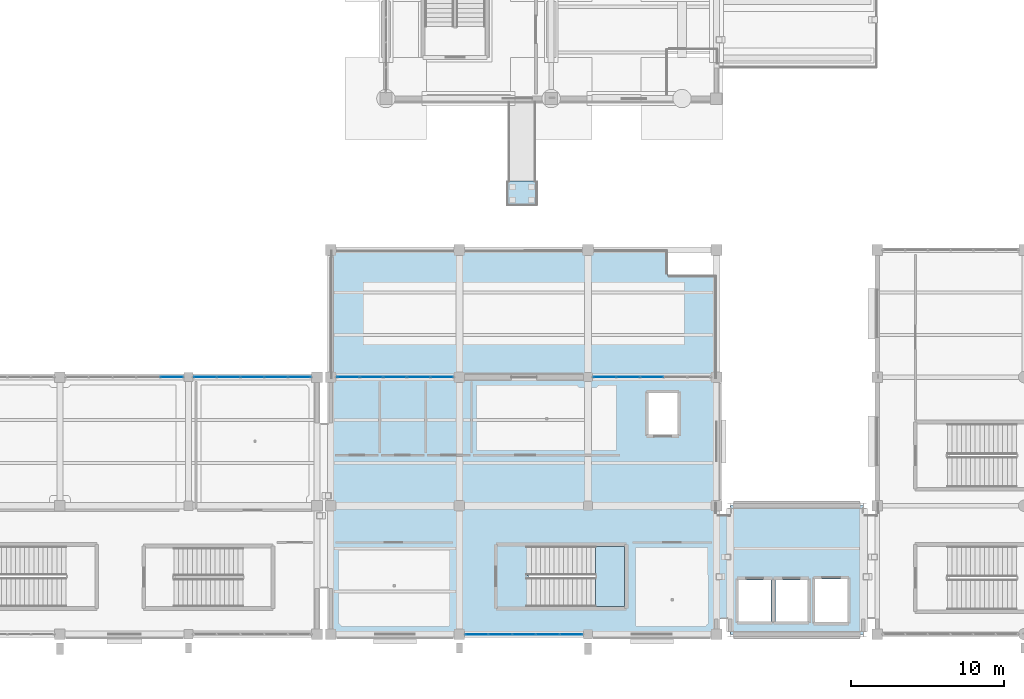
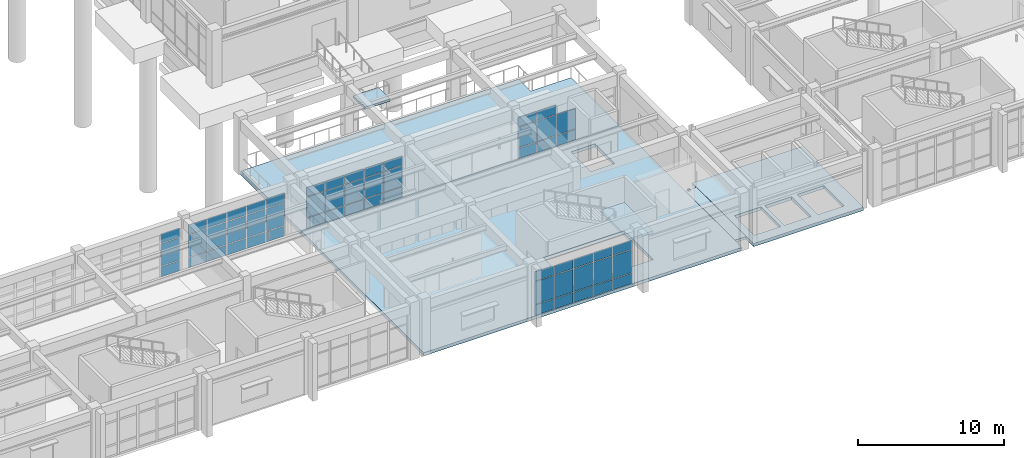
# One storey, part 70 of 98: 56 plates, 6 slabs, 6 elements without a shape of their own.
"""IFC4 building model written with IfcOpenShell, lengths in metres."""

import ifcopenshell
import ifcopenshell.guid

model = None  # the IFC model being written
_history = None  # IfcOwnerHistory: only IFC2X3 demands one
_inside = {}  # id of a spatial element -> (the spatial element, [elements in it])
_under = {}  # id of a project, library or spatial element -> (it, [spatial elements below it])
_declared = {}  # id of a project -> (the project, [libraries it declares])
_typed = {}  # id of a type object -> (the type object, [elements of that type])
_made_of = {}  # id of a material, layer set ... -> (it, [elements and type objects made of it])


def new_model(schema):
    """Start an empty IFC model of exactly this schema.

    Asked for "IFC4X3", IfcOpenShell would pick the latest addendum, in which some entities
    have other attributes; the version numbers below select the first issue.
    IFC2X3 requires an IfcOwnerHistory on every rooted entity: one is made here for all.
    """
    global model, _history
    if schema == "IFC4X3":
        model = ifcopenshell.file(schema_version=(4, 3, 0, 0))
    else:
        model = ifcopenshell.file(schema=schema)
    _inside.clear()
    _under.clear()
    _declared.clear()
    _typed.clear()
    _made_of.clear()
    _history = None
    if model.schema == "IFC2X3":
        org = make("IfcOrganization", Name="unknown")
        user = make(
            "IfcPersonAndOrganization",
            ThePerson=make("IfcPerson", FamilyName="unknown"),
            TheOrganization=org,
        )
        app = make(
            "IfcApplication",
            ApplicationDeveloper=org,
            Version="unknown",
            ApplicationFullName="unknown",
            ApplicationIdentifier="unknown",
        )
        _history = make(
            "IfcOwnerHistory",
            OwningUser=user,
            OwningApplication=app,
            ChangeAction="ADDED",
            CreationDate=0,
        )
    return model


def make(cls, **values):
    """One entity of the class cls with the attributes given. An attribute that is None is left unset."""
    return model.create_entity(
        cls, **{name: value for name, value in values.items() if value is not None}
    )


def rooted(cls, **values):
    """An entity with a GlobalId (a new one), such as an element, a storey or a relation."""
    return make(cls, GlobalId=ifcopenshell.guid.new(), OwnerHistory=_history, **values)


def si_unit(unit_type, name, prefix=None):
    """IfcSIUnit, for example si_unit("LENGTHUNIT", "METRE", prefix="MILLI")."""
    return make("IfcSIUnit", UnitType=unit_type, Prefix=prefix, Name=name)


def assignment(units):
    """IfcUnitAssignment: the units of a project."""
    return None if units is None else make("IfcUnitAssignment", Units=units)


def point(xyz):
    """IfcCartesianPoint."""
    return None if xyz is None else make("IfcCartesianPoint", Coordinates=xyz)


def direction(xyz):
    """IfcDirection."""
    return None if xyz is None else make("IfcDirection", DirectionRatios=xyz)


def frame(location, z_axis=None, x_axis=None):
    """IfcAxis2Placement3D, a coordinate frame: its origin and axes. An axis left out is left unset."""
    return make(
        "IfcAxis2Placement3D",
        Location=point(location),
        Axis=direction(z_axis),
        RefDirection=direction(x_axis),
    )


def frame_2d(location, x_axis=None):
    """IfcAxis2Placement2D, a coordinate frame in the plane: its origin and x axis."""
    return make(
        "IfcAxis2Placement2D", Location=point(location), RefDirection=direction(x_axis)
    )


def origin():
    """The frame at (0, 0, 0) with its axes left unset."""
    return frame((0.0, 0.0, 0.0))


def origin_2d():
    """The frame at (0, 0) in the plane with its x axis left unset."""
    return frame_2d((0.0, 0.0))


def place(relative_to, where):
    """IfcLocalPlacement: puts the frame where relative to a parent placement (None: the world)."""
    return make(
        "IfcLocalPlacement", PlacementRelTo=relative_to, RelativePlacement=where
    )


def context(
    kind, dimensions, precision=None, world=None, true_north=None, identifier=None
):
    """IfcGeometricRepresentationContext, for example the 3D "Model" context."""
    return make(
        "IfcGeometricRepresentationContext",
        ContextIdentifier=identifier,
        ContextType=kind,
        CoordinateSpaceDimension=dimensions,
        Precision=precision,
        WorldCoordinateSystem=world,
        TrueNorth=true_north,
    )


def subcontext(parent, identifier, kind, view, scale=None):
    """IfcGeometricRepresentationSubContext, for example "Body" below "Model"."""
    return make(
        "IfcGeometricRepresentationSubContext",
        ContextIdentifier=identifier,
        ContextType=kind,
        ParentContext=parent,
        TargetScale=scale,
        TargetView=view,
    )


def project(units=None, contexts=None):
    """IfcProject with its units and contexts."""
    return rooted(
        "IfcProject",
        Name="project",
        RepresentationContexts=contexts,
        UnitsInContext=assignment(units),
    )


def spatial(cls, under=None, at=None, **own):
    """A site, building, storey or space (cls), placed at a placement, below another one or the project."""
    s = rooted(cls, ObjectPlacement=at, **own)
    if under is not None:
        _under.setdefault(under.id(), (under, []))[1].append(s)
    return s


def polyline(points):
    """IfcPolyline through the points."""
    return make("IfcPolyline", Points=[point(p) for p in points])


def profile(cls, at=None, kind="AREA", **sizes):
    """A parametric profile (cls). Its sizes go by their IFC names, for example OverallWidth=200.0."""
    return make(cls, ProfileType=kind, Position=at, **sizes)


def rectangle(**sizes):
    """IfcRectangleProfileDef."""
    return profile("IfcRectangleProfileDef", **sizes)


def outline(outer, holes=None, kind="AREA"):
    """IfcArbitraryClosedProfileDef: a profile drawn as a closed curve; with holes, ...WithVoids."""
    if holes is None:
        return make("IfcArbitraryClosedProfileDef", ProfileType=kind, OuterCurve=outer)
    return make(
        "IfcArbitraryProfileDefWithVoids",
        ProfileType=kind,
        OuterCurve=outer,
        InnerCurves=holes,
    )


def extrude(swept, where, along, depth):
    """IfcExtrudedAreaSolid: the profile swept, set in the frame where, extruded along a direction by depth."""
    return make(
        "IfcExtrudedAreaSolid",
        SweptArea=swept,
        Position=where,
        ExtrudedDirection=direction(along),
        Depth=depth,
    )


def shape(context_of_items, identifier, shape_type, items):
    """IfcShapeRepresentation: the items that make up one representation, for example the "Body"."""
    return make(
        "IfcShapeRepresentation",
        ContextOfItems=context_of_items,
        RepresentationIdentifier=identifier,
        RepresentationType=shape_type,
        Items=items,
    )


def material(Name=None, Category=None):
    """IfcMaterial."""
    return make("IfcMaterial", Name=Name, Category=Category)


def layer(
    of_material, thickness, ventilated=None, Name=None, Category=None, Priority=None
):
    """IfcMaterialLayer: one layer of a wall or slab, of a material (None: an air gap)."""
    return make(
        "IfcMaterialLayer",
        Material=of_material,
        LayerThickness=thickness,
        IsVentilated=ventilated,
        Name=Name,
        Category=Category,
        Priority=Priority,
    )


def layer_set(layers, Name=None):
    """IfcMaterialLayerSet."""
    return make("IfcMaterialLayerSet", MaterialLayers=layers, LayerSetName=Name)


def made_of(thing, what):
    """Note that an element or type object is made of a material, layer set ...; save() writes the relation."""
    if what is not None:
        _made_of.setdefault(what.id(), (what, []))[1].append(thing)
    return thing


def type_object(cls, material=None, **own):
    """A type object (cls), such as IfcWallType, which elements share."""
    return made_of(rooted(cls, **own), material)


def element(
    cls,
    number,
    at=None,
    inside=None,
    cuts=None,
    type_object=None,
    material=None,
    context=None,
    identifier="Body",
    shape_type=None,
    held_by="IfcProductDefinitionShape",
    body=None,
    shapes=None,
    **own,
):
    """One element of the class cls, such as IfcWall. Its Tag is "e" and its number.

    at: its placement. inside: the storey or other place that contains it. cuts: it is an
    opening in that element (IfcRelVoidsElement). A single representation is given by context,
    identifier, shape_type and body (its items); several are given by shapes. held_by: the class
    of the entity that holds the representations. save() writes the other relations.
    """
    e = rooted(cls, Tag="e%d" % number, ObjectPlacement=at, **own)
    if body is not None:
        shapes = [shape(context, identifier, shape_type, body)]
    if shapes is not None:
        e.Representation = make(held_by, Representations=shapes)
    if inside is not None:
        _inside.setdefault(inside.id(), (inside, []))[1].append(e)
    if cuts is not None:
        rooted(
            "IfcRelVoidsElement", RelatingBuildingElement=cuts, RelatedOpeningElement=e
        )
    if type_object is not None:
        _typed.setdefault(type_object.id(), (type_object, []))[1].append(e)
    return made_of(e, material)


def aggregate(whole, parts):
    """IfcRelAggregates: a whole, such as a stair, and the parts it consists of."""
    return rooted("IfcRelAggregates", RelatingObject=whole, RelatedObjects=parts)


def save(model, path):
    """Write the relations noted so far, then the file.

    IfcRelAggregates (storeys below a building ...), IfcRelContainedInSpatialStructure (elements
    in a storey), IfcRelDefinesByType, IfcRelAssociatesMaterial and IfcRelDeclares: one each for
    every whole, place, type object, material and project.
    """
    for whole, parts in _under.values():
        aggregate(whole, parts)
    for where, things in _inside.values():
        rooted(
            "IfcRelContainedInSpatialStructure",
            RelatedElements=things,
            RelatingStructure=where,
        )
    for kind, things in _typed.values():
        rooted("IfcRelDefinesByType", RelatedObjects=things, RelatingType=kind)
    for what, things in _made_of.values():
        rooted("IfcRelAssociatesMaterial", RelatedObjects=things, RelatingMaterial=what)
    for by, libraries in _declared.values():
        rooted("IfcRelDeclares", RelatingContext=by, RelatedDefinitions=libraries)
    model.write(path)


model = new_model("IFC4")

# Units and contexts
model_context = context("Model", 3, precision=1e-05, world=origin(), true_north=direction((0.0, 1.0)))
body_context = subcontext(model_context, "Body", "Model", "MODEL_VIEW")
ifc_project = project(units=[si_unit("LENGTHUNIT", "METRE"), si_unit("AREAUNIT", "SQUARE_METRE"), si_unit("VOLUMEUNIT", "CUBIC_METRE"), si_unit("PLANEANGLEUNIT", "RADIAN"), si_unit("MASSUNIT", "GRAM", prefix="KILO")], contexts=[model_context])

# Site, building, storey
site_placement = place(None, origin())
site = spatial("IfcSite", under=ifc_project, at=site_placement, CompositionType="ELEMENT")
building_placement = place(site_placement, origin())
building = spatial("IfcBuilding", under=site, at=building_placement, Name="Canglan Escarpment Cableway Terminal", CompositionType="ELEMENT")
storey_placement = place(building_placement, frame((0.0, 0.0, 9.60009765625)))
storey = spatial("IfcBuildingStorey", under=building, at=storey_placement, Name="L02", CompositionType="ELEMENT", Elevation=9.60009765625)

# Curtain wall, plates
ifc_material_1 = material(Name="Anodized bronze aluminium and Low-E double glazing", Category="aluminium")
curtain_wall_type_1 = type_object("IfcCurtainWallType", Name="CW-BAY-7700x3550", PredefinedType="NOTDEFINED", material=ifc_material_1)
curtain_wall_1_placement = place(storey_placement, origin())
curtain_wall_1 = element("IfcCurtainWall", 1, at=curtain_wall_1_placement, inside=storey, type_object=curtain_wall_type_1, Name="Classical bay-between-piers glazed curtain wall CW-15", PredefinedType="NOTDEFINED")
ifc_material_2 = material(Name="Double-silver Low-E laminated insulating glass", Category="glass")
ifc_layer_1 = layer(ifc_material_2, 0.028076171875, Name="Double-silver Low-E laminated insulating glass")
ifc_layer_set_1 = layer_set([ifc_layer_1], Name="Double-silver Low-E laminated insulating glass")
plate_type_1 = type_object("IfcPlateType", Name="CWP-02", PredefinedType="CURTAIN_PANEL", material=ifc_layer_set_1)
plate_1_placement = place(storey_placement, frame((118.763671875, 24.800048828125, 0.06494140625), z_axis=(0.0, 0.0, 1.0), x_axis=(-1.0, 0.0, 0.0)))
plate_1 = element("IfcPlate", 2, at=plate_1_placement, type_object=plate_type_1, Name="CW-15 panel 1.1", PredefinedType="CURTAIN_PANEL", context=body_context, shape_type="SweptSolid", body=[
    extrude(rectangle(XDim=1.4423828125, YDim=0.028076171875, at=origin_2d()), origin(), (0.0, 0.0, 1.0), 0.8525390625),
])
plate_2_placement = place(storey_placement, frame((118.763671875, 24.800048828125, 0.982421875), z_axis=(0.0, 0.0, 1.0), x_axis=(-1.0, 0.0, 0.0)))
plate_2 = element("IfcPlate", 3, at=plate_2_placement, type_object=plate_type_1, Name="CW-15 panel 1.2", PredefinedType="CURTAIN_PANEL", context=body_context, shape_type="SweptSolid", body=[
    extrude(rectangle(XDim=1.4423828125, YDim=0.028076171875, at=origin_2d()), origin(), (0.0, 0.0, 1.0), 1.68994140625),
])
plate_3_placement = place(storey_placement, frame((118.763671875, 24.800048828125, 2.737548828125), z_axis=(0.0, 0.0, 1.0), x_axis=(-1.0, 0.0, 0.0)))
plate_3 = element("IfcPlate", 4, at=plate_3_placement, type_object=plate_type_1, Name="CW-15 panel 1.3", PredefinedType="CURTAIN_PANEL", context=body_context, shape_type="SweptSolid", body=[
    extrude(rectangle(XDim=1.4423828125, YDim=0.028076171875, at=origin_2d()), origin(), (0.0, 0.0, 1.0), 0.75244140625),
])
plate_4_placement = place(storey_placement, frame((117.239990234375, 24.800048828125, 0.06494140625), z_axis=(0.0, 0.0, 1.0), x_axis=(-1.0, 0.0, 0.0)))
plate_4 = element("IfcPlate", 5, at=plate_4_placement, type_object=plate_type_1, Name="CW-15 panel 2.1", PredefinedType="CURTAIN_PANEL", context=body_context, shape_type="SweptSolid", body=[
    extrude(rectangle(XDim=1.47509765625, YDim=0.028076171875, at=origin_2d()), origin(), (0.0, 0.0, 1.0), 0.8525390625),
])
plate_5_placement = place(storey_placement, frame((117.239990234375, 24.800048828125, 0.982421875), z_axis=(0.0, 0.0, 1.0), x_axis=(-1.0, 0.0, 0.0)))
plate_5 = element("IfcPlate", 6, at=plate_5_placement, type_object=plate_type_1, Name="CW-15 panel 2.2", PredefinedType="CURTAIN_PANEL", context=body_context, shape_type="SweptSolid", body=[
    extrude(rectangle(XDim=1.47509765625, YDim=0.028076171875, at=origin_2d()), origin(), (0.0, 0.0, 1.0), 1.68994140625),
])
plate_6_placement = place(storey_placement, frame((117.239990234375, 24.800048828125, 2.737548828125), z_axis=(0.0, 0.0, 1.0), x_axis=(-1.0, 0.0, 0.0)))
plate_6 = element("IfcPlate", 7, at=plate_6_placement, type_object=plate_type_1, Name="CW-15 panel 2.3", PredefinedType="CURTAIN_PANEL", context=body_context, shape_type="SweptSolid", body=[
    extrude(rectangle(XDim=1.47509765625, YDim=0.028076171875, at=origin_2d()), origin(), (0.0, 0.0, 1.0), 0.75244140625),
])
plate_7_placement = place(storey_placement, frame((115.699951171875, 24.800048828125, 0.06494140625), z_axis=(0.0, 0.0, 1.0), x_axis=(-1.0, 0.0, 0.0)))
plate_7 = element("IfcPlate", 8, at=plate_7_placement, type_object=plate_type_1, Name="CW-15 panel 3.1", PredefinedType="CURTAIN_PANEL", context=body_context, shape_type="SweptSolid", body=[
    extrude(rectangle(XDim=1.47509765625, YDim=0.028076171875, at=origin_2d()), origin(), (0.0, 0.0, 1.0), 0.8525390625),
])
plate_8_placement = place(storey_placement, frame((115.699951171875, 24.800048828125, 0.982421875), z_axis=(0.0, 0.0, 1.0), x_axis=(-1.0, 0.0, 0.0)))
plate_8 = element("IfcPlate", 9, at=plate_8_placement, type_object=plate_type_1, Name="CW-15 panel 3.2", PredefinedType="CURTAIN_PANEL", context=body_context, shape_type="SweptSolid", body=[
    extrude(rectangle(XDim=1.47509765625, YDim=0.028076171875, at=origin_2d()), origin(), (0.0, 0.0, 1.0), 1.68994140625),
])
plate_9_placement = place(storey_placement, frame((115.699951171875, 24.800048828125, 2.737548828125), z_axis=(0.0, 0.0, 1.0), x_axis=(-1.0, 0.0, 0.0)))
plate_9 = element("IfcPlate", 10, at=plate_9_placement, type_object=plate_type_1, Name="CW-15 panel 3.3", PredefinedType="CURTAIN_PANEL", context=body_context, shape_type="SweptSolid", body=[
    extrude(rectangle(XDim=1.47509765625, YDim=0.028076171875, at=origin_2d()), origin(), (0.0, 0.0, 1.0), 0.75244140625),
])
plate_10_placement = place(storey_placement, frame((114.159912109375, 24.800048828125, 0.06494140625), z_axis=(0.0, 0.0, 1.0), x_axis=(-1.0, 0.0, 0.0)))
plate_10 = element("IfcPlate", 11, at=plate_10_placement, type_object=plate_type_1, Name="CW-15 panel 4.1", PredefinedType="CURTAIN_PANEL", context=body_context, shape_type="SweptSolid", body=[
    extrude(rectangle(XDim=1.47509765625, YDim=0.028076171875, at=origin_2d()), origin(), (0.0, 0.0, 1.0), 0.8525390625),
])
plate_11_placement = place(storey_placement, frame((114.159912109375, 24.800048828125, 0.982421875), z_axis=(0.0, 0.0, 1.0), x_axis=(-1.0, 0.0, 0.0)))
plate_11 = element("IfcPlate", 12, at=plate_11_placement, type_object=plate_type_1, Name="CW-15 panel 4.2", PredefinedType="CURTAIN_PANEL", context=body_context, shape_type="SweptSolid", body=[
    extrude(rectangle(XDim=1.47509765625, YDim=0.028076171875, at=origin_2d()), origin(), (0.0, 0.0, 1.0), 1.68994140625),
])
plate_12_placement = place(storey_placement, frame((114.159912109375, 24.800048828125, 2.737548828125), z_axis=(0.0, 0.0, 1.0), x_axis=(-1.0, 0.0, 0.0)))
plate_12 = element("IfcPlate", 13, at=plate_12_placement, type_object=plate_type_1, Name="CW-15 panel 4.3", PredefinedType="CURTAIN_PANEL", context=body_context, shape_type="SweptSolid", body=[
    extrude(rectangle(XDim=1.47509765625, YDim=0.028076171875, at=origin_2d()), origin(), (0.0, 0.0, 1.0), 0.75244140625),
])
plate_13_placement = place(storey_placement, frame((112.63623046875, 24.800048828125, 0.06494140625), z_axis=(0.0, 0.0, 1.0), x_axis=(-1.0, 0.0, 0.0)))
plate_13 = element("IfcPlate", 14, at=plate_13_placement, type_object=plate_type_1, Name="CW-15 panel 5.1", PredefinedType="CURTAIN_PANEL", context=body_context, shape_type="SweptSolid", body=[
    extrude(rectangle(XDim=1.4423828125, YDim=0.028076171875, at=origin_2d()), origin(), (0.0, 0.0, 1.0), 0.8525390625),
])
plate_14_placement = place(storey_placement, frame((112.63623046875, 24.800048828125, 0.982421875), z_axis=(0.0, 0.0, 1.0), x_axis=(-1.0, 0.0, 0.0)))
plate_14 = element("IfcPlate", 15, at=plate_14_placement, type_object=plate_type_1, Name="CW-15 panel 5.2", PredefinedType="CURTAIN_PANEL", context=body_context, shape_type="SweptSolid", body=[
    extrude(rectangle(XDim=1.4423828125, YDim=0.028076171875, at=origin_2d()), origin(), (0.0, 0.0, 1.0), 1.68994140625),
])
plate_15_placement = place(storey_placement, frame((112.63623046875, 24.800048828125, 2.737548828125), z_axis=(0.0, 0.0, 1.0), x_axis=(-1.0, 0.0, 0.0)))
plate_15 = element("IfcPlate", 16, at=plate_15_placement, type_object=plate_type_1, Name="CW-15 panel 5.3", PredefinedType="CURTAIN_PANEL", context=body_context, shape_type="SweptSolid", body=[
    extrude(rectangle(XDim=1.4423828125, YDim=0.028076171875, at=origin_2d()), origin(), (0.0, 0.0, 1.0), 0.75244140625),
])
aggregate(curtain_wall_1, [plate_1, plate_2, plate_3, plate_4, plate_5, plate_6, plate_7, plate_8, plate_9, plate_10, plate_11, plate_12, plate_13, plate_14, plate_15])

curtain_wall_type_2 = type_object("IfcCurtainWallType", Name="CW-BAY-7750x3725", PredefinedType="NOTDEFINED", material=ifc_material_1)
curtain_wall_2_placement = place(storey_placement, origin())
curtain_wall_2 = element("IfcCurtainWall", 17, at=curtain_wall_2_placement, inside=storey, type_object=curtain_wall_type_2, Name="Classical bay-between-piers glazed curtain wall CW-12", PredefinedType="NOTDEFINED")
ifc_layer_2 = layer(ifc_material_2, 0.031982421875, Name="Double-silver Low-E laminated insulating glass")
ifc_layer_set_2 = layer_set([ifc_layer_2], Name="Double-silver Low-E laminated insulating glass")
plate_type_2 = type_object("IfcPlateType", Name="CWP-03", PredefinedType="CURTAIN_PANEL", material=ifc_layer_set_2)
plate_16_placement = place(storey_placement, frame((101.110107421875, 24.800048828125, 0.05517578125), z_axis=(0.0, 0.0, 1.0), x_axis=(-1.0, 0.0, 0.0)))
plate_16 = element("IfcPlate", 18, at=plate_16_placement, type_object=plate_type_2, Name="CW-12 panel 1.1", PredefinedType="CURTAIN_PANEL", context=body_context, shape_type="SweptSolid", body=[
    extrude(rectangle(XDim=1.4599609375, YDim=0.031982421875, at=origin_2d()), origin(), (0.0, 0.0, 1.0), 0.867431640625),
])
plate_17_placement = place(storey_placement, frame((101.110107421875, 24.800048828125, 0.9775390625), z_axis=(0.0, 0.0, 1.0), x_axis=(-1.0, 0.0, 0.0)))
plate_17 = element("IfcPlate", 19, at=plate_17_placement, type_object=plate_type_2, Name="CW-12 panel 1.2", PredefinedType="CURTAIN_PANEL", context=body_context, shape_type="SweptSolid", body=[
    extrude(rectangle(XDim=1.4599609375, YDim=0.031982421875, at=origin_2d()), origin(), (0.0, 0.0, 1.0), 1.860107421875),
])
plate_18_placement = place(storey_placement, frame((101.110107421875, 24.800048828125, 2.892333984375), z_axis=(0.0, 0.0, 1.0), x_axis=(-1.0, 0.0, 0.0)))
plate_18 = element("IfcPlate", 20, at=plate_18_placement, type_object=plate_type_2, Name="CW-12 panel 1.3", PredefinedType="CURTAIN_PANEL", context=body_context, shape_type="SweptSolid", body=[
    extrude(rectangle(XDim=1.4599609375, YDim=0.031982421875, at=origin_2d()), origin(), (0.0, 0.0, 1.0), 0.767578125),
])
aggregate(curtain_wall_2, [plate_16, plate_17, plate_18])

curtain_wall_type_3 = type_object("IfcCurtainWallType", Name="CW-BAY-7750x3750", PredefinedType="NOTDEFINED", material=ifc_material_1)
curtain_wall_3_placement = place(storey_placement, origin())
curtain_wall_3 = element("IfcCurtainWall", 21, at=curtain_wall_3_placement, inside=storey, type_object=curtain_wall_type_3, Name="Classical bay-between-piers glazed curtain wall CW-07", PredefinedType="NOTDEFINED")
plate_19_placement = place(storey_placement, frame((121.0400390625, 8.0, 0.05517578125), z_axis=(0.0, 0.0, 1.0), x_axis=(1.0, 0.0, 0.0)))
plate_19 = element("IfcPlate", 22, at=plate_19_placement, type_object=plate_type_2, Name="CW-07 panel 1.1", PredefinedType="CURTAIN_PANEL", context=body_context, shape_type="SweptSolid", body=[
    extrude(rectangle(XDim=1.4599609375, YDim=0.031982421875, at=origin_2d()), origin(), (0.0, 0.0, 1.0), 0.867431640625),
])
plate_20_placement = place(storey_placement, frame((121.0400390625, 8.0, 0.9775390625), z_axis=(0.0, 0.0, 1.0), x_axis=(1.0, 0.0, 0.0)))
plate_20 = element("IfcPlate", 23, at=plate_20_placement, type_object=plate_type_2, Name="CW-07 panel 1.2", PredefinedType="CURTAIN_PANEL", context=body_context, shape_type="SweptSolid", body=[
    extrude(rectangle(XDim=1.4599609375, YDim=0.031982421875, at=origin_2d()), origin(), (0.0, 0.0, 1.0), 1.89990234375),
])
plate_21_placement = place(storey_placement, frame((121.0400390625, 8.0, 2.932373046875), z_axis=(0.0, 0.0, 1.0), x_axis=(1.0, 0.0, 0.0)))
plate_21 = element("IfcPlate", 24, at=plate_21_placement, type_object=plate_type_2, Name="CW-07 panel 1.3", PredefinedType="CURTAIN_PANEL", context=body_context, shape_type="SweptSolid", body=[
    extrude(rectangle(XDim=1.4599609375, YDim=0.031982421875, at=origin_2d()), origin(), (0.0, 0.0, 1.0), 0.767578125),
])
plate_22_placement = place(storey_placement, frame((122.574951171875, 8.0, 0.05517578125), z_axis=(0.0, 0.0, 1.0), x_axis=(1.0, 0.0, 0.0)))
plate_22 = element("IfcPlate", 25, at=plate_22_placement, type_object=plate_type_2, Name="CW-07 panel 2.1", PredefinedType="CURTAIN_PANEL", context=body_context, shape_type="SweptSolid", body=[
    extrude(rectangle(XDim=1.489990234375, YDim=0.031982421875, at=origin_2d()), origin(), (0.0, 0.0, 1.0), 0.867431640625),
])
plate_23_placement = place(storey_placement, frame((122.574951171875, 8.0, 0.9775390625), z_axis=(0.0, 0.0, 1.0), x_axis=(1.0, 0.0, 0.0)))
plate_23 = element("IfcPlate", 26, at=plate_23_placement, type_object=plate_type_2, Name="CW-07 panel 2.2", PredefinedType="CURTAIN_PANEL", context=body_context, shape_type="SweptSolid", body=[
    extrude(rectangle(XDim=1.489990234375, YDim=0.031982421875, at=origin_2d()), origin(), (0.0, 0.0, 1.0), 1.89990234375),
])
plate_24_placement = place(storey_placement, frame((122.574951171875, 8.0, 2.932373046875), z_axis=(0.0, 0.0, 1.0), x_axis=(1.0, 0.0, 0.0)))
plate_24 = element("IfcPlate", 27, at=plate_24_placement, type_object=plate_type_2, Name="CW-07 panel 2.3", PredefinedType="CURTAIN_PANEL", context=body_context, shape_type="SweptSolid", body=[
    extrude(rectangle(XDim=1.489990234375, YDim=0.031982421875, at=origin_2d()), origin(), (0.0, 0.0, 1.0), 0.767578125),
])
plate_25_placement = place(storey_placement, frame((124.125, 8.0, 0.05517578125), z_axis=(0.0, 0.0, 1.0), x_axis=(1.0, 0.0, 0.0)))
plate_25 = element("IfcPlate", 28, at=plate_25_placement, type_object=plate_type_2, Name="CW-07 panel 3.1", PredefinedType="CURTAIN_PANEL", context=body_context, shape_type="SweptSolid", body=[
    extrude(rectangle(XDim=1.489990234375, YDim=0.031982421875, at=origin_2d()), origin(), (0.0, 0.0, 1.0), 0.867431640625),
])
plate_26_placement = place(storey_placement, frame((124.125, 8.0, 0.9775390625), z_axis=(0.0, 0.0, 1.0), x_axis=(1.0, 0.0, 0.0)))
plate_26 = element("IfcPlate", 29, at=plate_26_placement, type_object=plate_type_2, Name="CW-07 panel 3.2", PredefinedType="CURTAIN_PANEL", context=body_context, shape_type="SweptSolid", body=[
    extrude(rectangle(XDim=1.489990234375, YDim=0.031982421875, at=origin_2d()), origin(), (0.0, 0.0, 1.0), 1.89990234375),
])
plate_27_placement = place(storey_placement, frame((124.125, 8.0, 2.932373046875), z_axis=(0.0, 0.0, 1.0), x_axis=(1.0, 0.0, 0.0)))
plate_27 = element("IfcPlate", 30, at=plate_27_placement, type_object=plate_type_2, Name="CW-07 panel 3.3", PredefinedType="CURTAIN_PANEL", context=body_context, shape_type="SweptSolid", body=[
    extrude(rectangle(XDim=1.489990234375, YDim=0.031982421875, at=origin_2d()), origin(), (0.0, 0.0, 1.0), 0.767578125),
])
plate_28_placement = place(storey_placement, frame((125.675048828125, 8.0, 0.05517578125), z_axis=(0.0, 0.0, 1.0), x_axis=(1.0, 0.0, 0.0)))
plate_28 = element("IfcPlate", 31, at=plate_28_placement, type_object=plate_type_2, Name="CW-07 panel 4.1", PredefinedType="CURTAIN_PANEL", context=body_context, shape_type="SweptSolid", body=[
    extrude(rectangle(XDim=1.489990234375, YDim=0.031982421875, at=origin_2d()), origin(), (0.0, 0.0, 1.0), 0.867431640625),
])
plate_29_placement = place(storey_placement, frame((125.675048828125, 8.0, 0.9775390625), z_axis=(0.0, 0.0, 1.0), x_axis=(1.0, 0.0, 0.0)))
plate_29 = element("IfcPlate", 32, at=plate_29_placement, type_object=plate_type_2, Name="CW-07 panel 4.2", PredefinedType="CURTAIN_PANEL", context=body_context, shape_type="SweptSolid", body=[
    extrude(rectangle(XDim=1.489990234375, YDim=0.031982421875, at=origin_2d()), origin(), (0.0, 0.0, 1.0), 1.89990234375),
])
plate_30_placement = place(storey_placement, frame((125.675048828125, 8.0, 2.932373046875), z_axis=(0.0, 0.0, 1.0), x_axis=(1.0, 0.0, 0.0)))
plate_30 = element("IfcPlate", 33, at=plate_30_placement, type_object=plate_type_2, Name="CW-07 panel 4.3", PredefinedType="CURTAIN_PANEL", context=body_context, shape_type="SweptSolid", body=[
    extrude(rectangle(XDim=1.489990234375, YDim=0.031982421875, at=origin_2d()), origin(), (0.0, 0.0, 1.0), 0.767578125),
])
plate_31_placement = place(storey_placement, frame((127.2099609375, 8.0, 0.05517578125), z_axis=(0.0, 0.0, 1.0), x_axis=(1.0, 0.0, 0.0)))
plate_31 = element("IfcPlate", 34, at=plate_31_placement, type_object=plate_type_2, Name="CW-07 panel 5.1", PredefinedType="CURTAIN_PANEL", context=body_context, shape_type="SweptSolid", body=[
    extrude(rectangle(XDim=1.4599609375, YDim=0.031982421875, at=origin_2d()), origin(), (0.0, 0.0, 1.0), 0.867431640625),
])
plate_32_placement = place(storey_placement, frame((127.2099609375, 8.0, 0.9775390625), z_axis=(0.0, 0.0, 1.0), x_axis=(1.0, 0.0, 0.0)))
plate_32 = element("IfcPlate", 35, at=plate_32_placement, type_object=plate_type_2, Name="CW-07 panel 5.2", PredefinedType="CURTAIN_PANEL", context=body_context, shape_type="SweptSolid", body=[
    extrude(rectangle(XDim=1.4599609375, YDim=0.031982421875, at=origin_2d()), origin(), (0.0, 0.0, 1.0), 1.89990234375),
])
plate_33_placement = place(storey_placement, frame((127.2099609375, 8.0, 2.932373046875), z_axis=(0.0, 0.0, 1.0), x_axis=(1.0, 0.0, 0.0)))
plate_33 = element("IfcPlate", 36, at=plate_33_placement, type_object=plate_type_2, Name="CW-07 panel 5.3", PredefinedType="CURTAIN_PANEL", context=body_context, shape_type="SweptSolid", body=[
    extrude(rectangle(XDim=1.4599609375, YDim=0.031982421875, at=origin_2d()), origin(), (0.0, 0.0, 1.0), 0.767578125),
])
aggregate(curtain_wall_3, [plate_19, plate_20, plate_21, plate_22, plate_23, plate_24, plate_25, plate_26, plate_27, plate_28, plate_29, plate_30, plate_31, plate_32, plate_33])

curtain_wall_4_placement = place(storey_placement, origin())
curtain_wall_4 = element("IfcCurtainWall", 37, at=curtain_wall_4_placement, inside=storey, type_object=curtain_wall_type_2, Name="Classical bay-between-piers glazed curtain wall CW-12", PredefinedType="NOTDEFINED")
ifc_layer_3 = layer(ifc_material_2, 0.035888671875, Name="Double-silver Low-E laminated insulating glass")
ifc_layer_set_3 = layer_set([ifc_layer_3], Name="Double-silver Low-E laminated insulating glass")
plate_type_3 = type_object("IfcPlateType", Name="CWP-04", PredefinedType="CURTAIN_PANEL", material=ifc_layer_set_3)
plate_34_placement = place(storey_placement, frame((109.458740234375, 24.800048828125, 0.06005859375), z_axis=(0.0, 0.0, 1.0), x_axis=(-1.0, 0.0, 0.0)))
plate_34 = element("IfcPlate", 38, at=plate_34_placement, type_object=plate_type_3, Name="CW-12 panel 1.1", PredefinedType="CURTAIN_PANEL", context=body_context, shape_type="SweptSolid", body=[
    extrude(rectangle(XDim=1.452392578125, YDim=0.035888671875, at=origin_2d()), origin(), (0.0, 0.0, 1.0), 0.860107421875),
])
plate_35_placement = place(storey_placement, frame((109.458740234375, 24.800048828125, 0.97998046875), z_axis=(0.0, 0.0, 1.0), x_axis=(-1.0, 0.0, 0.0)))
plate_35 = element("IfcPlate", 39, at=plate_35_placement, type_object=plate_type_3, Name="CW-12 panel 1.2", PredefinedType="CURTAIN_PANEL", context=body_context, shape_type="SweptSolid", body=[
    extrude(rectangle(XDim=1.452392578125, YDim=0.035888671875, at=origin_2d()), origin(), (0.0, 0.0, 1.0), 1.85498046875),
])
plate_36_placement = place(storey_placement, frame((109.458740234375, 24.800048828125, 2.89501953125), z_axis=(0.0, 0.0, 1.0), x_axis=(-1.0, 0.0, 0.0)))
plate_36 = element("IfcPlate", 40, at=plate_36_placement, type_object=plate_type_3, Name="CW-12 panel 1.3", PredefinedType="CURTAIN_PANEL", context=body_context, shape_type="SweptSolid", body=[
    extrude(rectangle(XDim=1.452392578125, YDim=0.035888671875, at=origin_2d()), origin(), (0.0, 0.0, 1.0), 0.760009765625),
])
plate_37_placement = place(storey_placement, frame((107.925048828125, 24.800048828125, 0.06005859375), z_axis=(0.0, 0.0, 1.0), x_axis=(-1.0, 0.0, 0.0)))
plate_37 = element("IfcPlate", 41, at=plate_37_placement, type_object=plate_type_3, Name="CW-12 panel 2.1", PredefinedType="CURTAIN_PANEL", context=body_context, shape_type="SweptSolid", body=[
    extrude(rectangle(XDim=1.485107421875, YDim=0.035888671875, at=origin_2d()), origin(), (0.0, 0.0, 1.0), 0.860107421875),
])
plate_38_placement = place(storey_placement, frame((107.925048828125, 24.800048828125, 0.97998046875), z_axis=(0.0, 0.0, 1.0), x_axis=(-1.0, 0.0, 0.0)))
plate_38 = element("IfcPlate", 42, at=plate_38_placement, type_object=plate_type_3, Name="CW-12 panel 2.2", PredefinedType="CURTAIN_PANEL", context=body_context, shape_type="SweptSolid", body=[
    extrude(rectangle(XDim=1.485107421875, YDim=0.035888671875, at=origin_2d()), origin(), (0.0, 0.0, 1.0), 1.85498046875),
])
plate_39_placement = place(storey_placement, frame((107.925048828125, 24.800048828125, 2.89501953125), z_axis=(0.0, 0.0, 1.0), x_axis=(-1.0, 0.0, 0.0)))
plate_39 = element("IfcPlate", 43, at=plate_39_placement, type_object=plate_type_3, Name="CW-12 panel 2.3", PredefinedType="CURTAIN_PANEL", context=body_context, shape_type="SweptSolid", body=[
    extrude(rectangle(XDim=1.485107421875, YDim=0.035888671875, at=origin_2d()), origin(), (0.0, 0.0, 1.0), 0.760009765625),
])
plate_40_placement = place(storey_placement, frame((106.375, 24.800048828125, 0.06005859375), z_axis=(0.0, 0.0, 1.0), x_axis=(-1.0, 0.0, 0.0)))
plate_40 = element("IfcPlate", 44, at=plate_40_placement, type_object=plate_type_3, Name="CW-12 panel 3.1", PredefinedType="CURTAIN_PANEL", context=body_context, shape_type="SweptSolid", body=[
    extrude(rectangle(XDim=1.485107421875, YDim=0.035888671875, at=origin_2d()), origin(), (0.0, 0.0, 1.0), 0.860107421875),
])
plate_41_placement = place(storey_placement, frame((106.375, 24.800048828125, 0.97998046875), z_axis=(0.0, 0.0, 1.0), x_axis=(-1.0, 0.0, 0.0)))
plate_41 = element("IfcPlate", 45, at=plate_41_placement, type_object=plate_type_3, Name="CW-12 panel 3.2", PredefinedType="CURTAIN_PANEL", context=body_context, shape_type="SweptSolid", body=[
    extrude(rectangle(XDim=1.485107421875, YDim=0.035888671875, at=origin_2d()), origin(), (0.0, 0.0, 1.0), 1.85498046875),
])
plate_42_placement = place(storey_placement, frame((106.375, 24.800048828125, 2.89501953125), z_axis=(0.0, 0.0, 1.0), x_axis=(-1.0, 0.0, 0.0)))
plate_42 = element("IfcPlate", 46, at=plate_42_placement, type_object=plate_type_3, Name="CW-12 panel 3.3", PredefinedType="CURTAIN_PANEL", context=body_context, shape_type="SweptSolid", body=[
    extrude(rectangle(XDim=1.485107421875, YDim=0.035888671875, at=origin_2d()), origin(), (0.0, 0.0, 1.0), 0.760009765625),
])
plate_43_placement = place(storey_placement, frame((104.824951171875, 24.800048828125, 0.06005859375), z_axis=(0.0, 0.0, 1.0), x_axis=(-1.0, 0.0, 0.0)))
plate_43 = element("IfcPlate", 47, at=plate_43_placement, type_object=plate_type_3, Name="CW-12 panel 4.1", PredefinedType="CURTAIN_PANEL", context=body_context, shape_type="SweptSolid", body=[
    extrude(rectangle(XDim=1.485107421875, YDim=0.035888671875, at=origin_2d()), origin(), (0.0, 0.0, 1.0), 0.860107421875),
])
plate_44_placement = place(storey_placement, frame((104.824951171875, 24.800048828125, 0.97998046875), z_axis=(0.0, 0.0, 1.0), x_axis=(-1.0, 0.0, 0.0)))
plate_44 = element("IfcPlate", 48, at=plate_44_placement, type_object=plate_type_3, Name="CW-12 panel 4.2", PredefinedType="CURTAIN_PANEL", context=body_context, shape_type="SweptSolid", body=[
    extrude(rectangle(XDim=1.485107421875, YDim=0.035888671875, at=origin_2d()), origin(), (0.0, 0.0, 1.0), 1.85498046875),
])
plate_45_placement = place(storey_placement, frame((104.824951171875, 24.800048828125, 2.89501953125), z_axis=(0.0, 0.0, 1.0), x_axis=(-1.0, 0.0, 0.0)))
plate_45 = element("IfcPlate", 49, at=plate_45_placement, type_object=plate_type_3, Name="CW-12 panel 4.3", PredefinedType="CURTAIN_PANEL", context=body_context, shape_type="SweptSolid", body=[
    extrude(rectangle(XDim=1.485107421875, YDim=0.035888671875, at=origin_2d()), origin(), (0.0, 0.0, 1.0), 0.760009765625),
])
plate_46_placement = place(storey_placement, frame((103.291259765625, 24.800048828125, 0.06005859375), z_axis=(0.0, 0.0, 1.0), x_axis=(-1.0, 0.0, 0.0)))
plate_46 = element("IfcPlate", 50, at=plate_46_placement, type_object=plate_type_3, Name="CW-12 panel 5.1", PredefinedType="CURTAIN_PANEL", context=body_context, shape_type="SweptSolid", body=[
    extrude(rectangle(XDim=1.452392578125, YDim=0.035888671875, at=origin_2d()), origin(), (0.0, 0.0, 1.0), 0.860107421875),
])
plate_47_placement = place(storey_placement, frame((103.291259765625, 24.800048828125, 0.97998046875), z_axis=(0.0, 0.0, 1.0), x_axis=(-1.0, 0.0, 0.0)))
plate_47 = element("IfcPlate", 51, at=plate_47_placement, type_object=plate_type_3, Name="CW-12 panel 5.2", PredefinedType="CURTAIN_PANEL", context=body_context, shape_type="SweptSolid", body=[
    extrude(rectangle(XDim=1.452392578125, YDim=0.035888671875, at=origin_2d()), origin(), (0.0, 0.0, 1.0), 1.85498046875),
])
plate_48_placement = place(storey_placement, frame((103.291259765625, 24.800048828125, 2.89501953125), z_axis=(0.0, 0.0, 1.0), x_axis=(-1.0, 0.0, 0.0)))
plate_48 = element("IfcPlate", 52, at=plate_48_placement, type_object=plate_type_3, Name="CW-12 panel 5.3", PredefinedType="CURTAIN_PANEL", context=body_context, shape_type="SweptSolid", body=[
    extrude(rectangle(XDim=1.452392578125, YDim=0.035888671875, at=origin_2d()), origin(), (0.0, 0.0, 1.0), 0.760009765625),
])
aggregate(curtain_wall_4, [plate_34, plate_35, plate_36, plate_37, plate_38, plate_39, plate_40, plate_41, plate_42, plate_43, plate_44, plate_45, plate_46, plate_47, plate_48])

curtain_wall_type_4 = type_object("IfcCurtainWallType", Name="CW-BAY-7750x3550", PredefinedType="NOTDEFINED", material=ifc_material_1)
curtain_wall_5_placement = place(storey_placement, origin())
curtain_wall_5 = element("IfcCurtainWall", 53, at=curtain_wall_5_placement, inside=storey, type_object=curtain_wall_type_4, Name="Classical bay-between-piers glazed curtain wall CW-16", PredefinedType="NOTDEFINED")
plate_49_placement = place(storey_placement, frame((132.47509765625, 24.800048828125, 0.06005859375), z_axis=(0.0, 0.0, 1.0), x_axis=(-1.0, 0.0, 0.0)))
plate_49 = element("IfcPlate", 54, at=plate_49_placement, type_object=plate_type_3, Name="CW-16 panel 3.1", PredefinedType="CURTAIN_PANEL", context=body_context, shape_type="SweptSolid", body=[
    extrude(rectangle(XDim=1.485107421875, YDim=0.035888671875, at=origin_2d()), origin(), (0.0, 0.0, 1.0), 0.860107421875),
])
plate_50_placement = place(storey_placement, frame((132.47509765625, 24.800048828125, 0.97998046875), z_axis=(0.0, 0.0, 1.0), x_axis=(-1.0, 0.0, 0.0)))
plate_50 = element("IfcPlate", 55, at=plate_50_placement, type_object=plate_type_3, Name="CW-16 panel 3.2", PredefinedType="CURTAIN_PANEL", context=body_context, shape_type="SweptSolid", body=[
    extrude(rectangle(XDim=1.485107421875, YDim=0.035888671875, at=origin_2d()), origin(), (0.0, 0.0, 1.0), 1.695068359375),
])
plate_51_placement = place(storey_placement, frame((130.925048828125, 24.800048828125, 0.06005859375), z_axis=(0.0, 0.0, 1.0), x_axis=(-1.0, 0.0, 0.0)))
plate_51 = element("IfcPlate", 56, at=plate_51_placement, type_object=plate_type_3, Name="CW-16 panel 4.1", PredefinedType="CURTAIN_PANEL", context=body_context, shape_type="SweptSolid", body=[
    extrude(rectangle(XDim=1.485107421875, YDim=0.035888671875, at=origin_2d()), origin(), (0.0, 0.0, 1.0), 0.860107421875),
])
plate_52_placement = place(storey_placement, frame((130.925048828125, 24.800048828125, 0.97998046875), z_axis=(0.0, 0.0, 1.0), x_axis=(-1.0, 0.0, 0.0)))
plate_52 = element("IfcPlate", 57, at=plate_52_placement, type_object=plate_type_3, Name="CW-16 panel 4.2", PredefinedType="CURTAIN_PANEL", context=body_context, shape_type="SweptSolid", body=[
    extrude(rectangle(XDim=1.485107421875, YDim=0.035888671875, at=origin_2d()), origin(), (0.0, 0.0, 1.0), 1.695068359375),
])
plate_53_placement = place(storey_placement, frame((130.925048828125, 24.800048828125, 2.73486328125), z_axis=(0.0, 0.0, 1.0), x_axis=(-1.0, 0.0, 0.0)))
plate_53 = element("IfcPlate", 58, at=plate_53_placement, type_object=plate_type_3, Name="CW-16 panel 4.3", PredefinedType="CURTAIN_PANEL", context=body_context, shape_type="SweptSolid", body=[
    extrude(rectangle(XDim=1.485107421875, YDim=0.035888671875, at=origin_2d()), origin(), (0.0, 0.0, 1.0), 0.760009765625),
])
plate_54_placement = place(storey_placement, frame((129.391357421875, 24.800048828125, 0.06005859375), z_axis=(0.0, 0.0, 1.0), x_axis=(-1.0, 0.0, 0.0)))
plate_54 = element("IfcPlate", 59, at=plate_54_placement, type_object=plate_type_3, Name="CW-16 panel 5.1", PredefinedType="CURTAIN_PANEL", context=body_context, shape_type="SweptSolid", body=[
    extrude(rectangle(XDim=1.452392578125, YDim=0.035888671875, at=origin_2d()), origin(), (0.0, 0.0, 1.0), 0.860107421875),
])
plate_55_placement = place(storey_placement, frame((129.391357421875, 24.800048828125, 0.97998046875), z_axis=(0.0, 0.0, 1.0), x_axis=(-1.0, 0.0, 0.0)))
plate_55 = element("IfcPlate", 60, at=plate_55_placement, type_object=plate_type_3, Name="CW-16 panel 5.2", PredefinedType="CURTAIN_PANEL", context=body_context, shape_type="SweptSolid", body=[
    extrude(rectangle(XDim=1.452392578125, YDim=0.035888671875, at=origin_2d()), origin(), (0.0, 0.0, 1.0), 1.695068359375),
])
plate_56_placement = place(storey_placement, frame((129.391357421875, 24.800048828125, 2.73486328125), z_axis=(0.0, 0.0, 1.0), x_axis=(-1.0, 0.0, 0.0)))
plate_56 = element("IfcPlate", 61, at=plate_56_placement, type_object=plate_type_3, Name="CW-16 panel 5.3", PredefinedType="CURTAIN_PANEL", context=body_context, shape_type="SweptSolid", body=[
    extrude(rectangle(XDim=1.452392578125, YDim=0.035888671875, at=origin_2d()), origin(), (0.0, 0.0, 1.0), 0.760009765625),
])
aggregate(curtain_wall_5, [plate_49, plate_50, plate_51, plate_52, plate_53, plate_54, plate_55, plate_56])

# Slabs
ifc_material_3 = material(Name="Concrete C40", Category="concrete")
ifc_layer_4 = layer(ifc_material_3, 0.260009765625, Name="Concrete C40")
ifc_layer_set_4 = layer_set([ifc_layer_4], Name="Concrete C40")
slab_type_1 = type_object("IfcSlabType", Name="SLB-FLR-260", PredefinedType="FLOOR", material=ifc_layer_set_4)
slab_1_placement = place(storey_placement, frame((0.0, 0.0, -0.260009765625)))
element("IfcSlab", 62, at=slab_1_placement, inside=storey, type_object=slab_type_1, Name="Suspended structural floor slab L02", PredefinedType="FLOOR", context=body_context, shape_type="SweptSolid", body=[
    extrude(outline(polyline([(111.5, 8.0), (136.699951171875, 8.0), (136.699951171875, 24.800048828125), (111.5, 24.800048828125), (111.5, 8.0)]), holes=[polyline([(124.419921875, 9.800048828125), (124.419921875, 11.830078125), (124.305908203125, 11.830078125), (124.305908203125, 13.75), (130.699951171875, 13.75), (130.699951171875, 11.85009765625), (130.699951171875, 11.830078125), (130.699951171875, 9.800048828125), (124.419921875, 9.800048828125)]), polyline([(132.25, 21.050048828125), (132.25, 23.75), (134.14990234375, 23.75), (134.14990234375, 21.050048828125), (132.25, 21.050048828125)])]), origin(), (0.0, 0.0, 1.0), 0.260009765625),
])
slab_2_placement = place(storey_placement, frame((0.0, 0.0, -0.260009765625)))
element("IfcSlab", 63, at=slab_2_placement, inside=storey, type_object=slab_type_1, Name="Suspended structural floor slab L02", PredefinedType="FLOOR", context=body_context, shape_type="SweptSolid", body=[
    extrude(outline(polyline([(137.60009765625, 8.0), (146.300048828125, 8.0), (146.300048828125, 16.39990234375), (137.60009765625, 16.39990234375), (137.60009765625, 8.0)]), holes=[polyline([(138.14990234375, 8.85009765625), (138.14990234375, 11.550048828125), (140.25, 11.550048828125), (140.25, 8.85009765625), (138.14990234375, 8.85009765625)]), polyline([(140.550048828125, 11.550048828125), (142.64990234375, 11.550048828125), (142.64990234375, 8.85009765625), (140.550048828125, 8.85009765625), (140.550048828125, 11.550048828125)]), polyline([(143.14990234375, 11.60009765625), (145.25, 11.60009765625), (145.25, 8.800048828125), (143.14990234375, 8.800048828125), (143.14990234375, 11.60009765625)])]), origin(), (0.0, 0.0, 1.0), 0.260009765625),
])
ifc_layer_5 = layer(ifc_material_3, 0.320068359375, Name="Concrete C40")
ifc_layer_set_5 = layer_set([ifc_layer_5], Name="Concrete C40")
slab_type_2 = type_object("IfcSlabType", Name="SLB-GARDEN-320", PredefinedType="FLOOR", material=ifc_layer_set_5)
slab_3_placement = place(storey_placement, frame((0.0, 0.0, -0.320068359375)))
element("IfcSlab", 64, at=slab_3_placement, inside=storey, type_object=slab_type_2, Name="Planted roof garden terrace SG-01", PredefinedType="FLOOR", context=body_context, shape_type="SweptSolid", body=[
    extrude(outline(polyline([(111.5, 24.800048828125), (136.699951171875, 24.800048828125), (136.699951171875, 31.43994140625), (133.5, 31.43994140625), (133.5, 33.10009765625), (111.5, 33.10009765625), (111.5, 24.800048828125)])), origin(), (0.0, 0.0, 1.0), 0.320068359375),
])
ifc_layer_6 = layer(ifc_material_3, 0.219970703125, Name="Concrete C40")
ifc_layer_set_6 = layer_set([ifc_layer_6], Name="Concrete C40")
slab_type_3 = type_object("IfcSlabType", Name="SLB-LINK-220", PredefinedType="FLOOR", material=ifc_layer_set_6)
slab_4_placement = place(storey_placement, frame((0.0, 0.0, -0.22021484375)))
element("IfcSlab", 65, at=slab_4_placement, inside=storey, type_object=slab_type_3, Name="Movement-joint concourse link slab MJ-S1", PredefinedType="FLOOR", context=body_context, shape_type="SweptSolid", body=[
    extrude(outline(polyline([(137.594970703125, 15.800048828125), (137.594970703125, 9.0), (136.705078125, 9.0), (136.705078125, 15.800048828125), (137.594970703125, 15.800048828125)])), origin(), (0.0, 0.0, 1.0), 0.22021484375),
])
ifc_layer_7 = layer(ifc_material_3, 0.199951171875, Name="Concrete C40")
ifc_layer_set_7 = layer_set([ifc_layer_7], Name="Concrete C40")
slab_type_4 = type_object("IfcSlabType", Name="SLB-RMP-LAND-200", PredefinedType="LANDING", material=ifc_layer_set_7)
slab_5_placement = place(storey_placement, frame((0.0, 0.0, -0.650146484375)))
element("IfcSlab", 66, at=slab_5_placement, inside=storey, type_object=slab_type_4, Name="Accessible Cloister Court Ramp 5 bottom landing", PredefinedType="LANDING", context=body_context, shape_type="SweptSolid", body=[
    extrude(outline(polyline([(123.0, 36.0), (125.0, 36.0), (125.0, 37.60009765625), (123.0, 37.60009765625), (123.0, 36.0)])), origin(), (0.0, 0.0, 1.0), 0.199951171875),
])

# Stair, slab
stair_type = type_object("IfcStairType", Name="STR-DOGLEG-1900", PredefinedType="HALF_TURN_STAIR", material=ifc_material_3)
stair_placement = place(storey_placement, origin())
stair = element("IfcStair", 67, at=stair_placement, inside=storey, type_object=stair_type, Name="L02 Protected Exit Stair ST-07", PredefinedType="HALF_TURN_STAIR")
ifc_layer_8 = layer(ifc_material_3, 0.199951171875, Name="Concrete C40")
ifc_layer_set_8 = layer_set([ifc_layer_8], Name="Concrete C40")
slab_type_5 = type_object("IfcSlabType", Name="SLB-STAIR-LAND-200", PredefinedType="LANDING", material=ifc_layer_set_8)
slab_6_placement = place(storey_placement, frame((0.0, 0.0, 2.199951171875)))
slab_6 = element("IfcSlab", 68, at=slab_6_placement, type_object=slab_type_5, Name="ST-07 landing 1", PredefinedType="LANDING", context=body_context, shape_type="SweptSolid", body=[
    extrude(outline(polyline([(128.800048828125, 9.800048828125), (130.699951171875, 9.800048828125), (130.699951171875, 13.75), (128.800048828125, 13.75), (128.800048828125, 9.800048828125)])), origin(), (0.0, 0.0, 1.0), 0.199951171875),
])
aggregate(stair, [slab_6])

save(model, "model.ifc")
